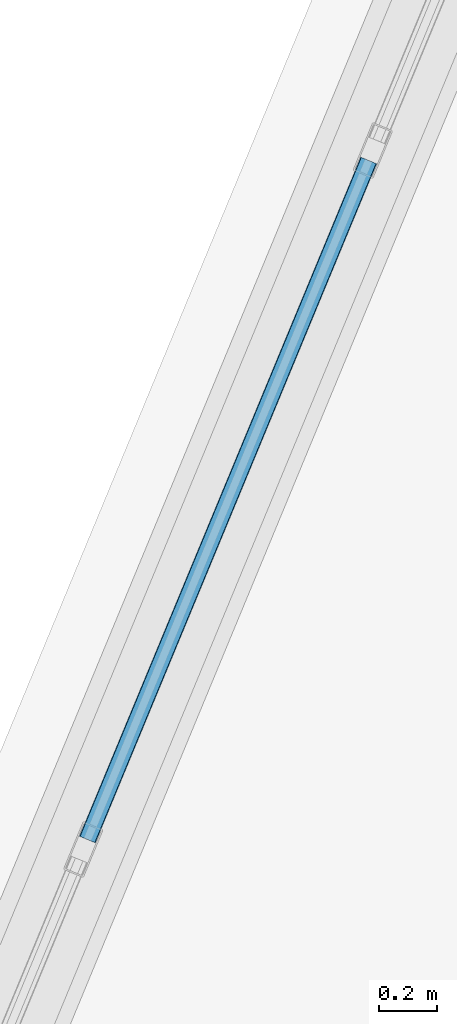
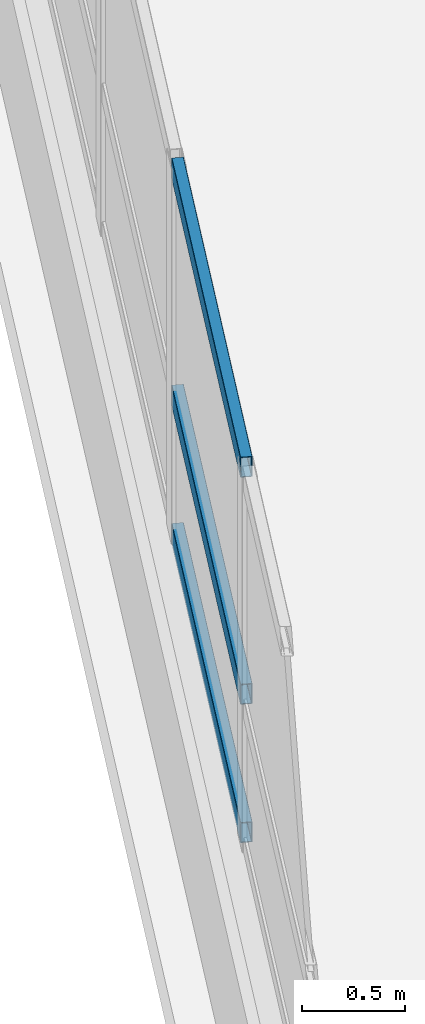
# One storey, part 46 of 128: 3 members, 1 element without a shape of its own.
"""IFC4 building model written with IfcOpenShell, lengths in metres."""

from ifc_helpers import new_model, si_unit, direction, frame, origin, origin_2d, place, context, subcontext, project, spatial, hollow_rectangle, extrude, material, layer, layer_set, material_profile, profile_set, type_object, element, aggregate, save


model = new_model("IFC4")

# Units and contexts
model_context = context("Model", 3, precision=1e-05, world=origin(), true_north=direction((0.0, 1.0)))
body_context = subcontext(model_context, "Body", "Model", "MODEL_VIEW")
ifc_project = project(units=[si_unit("LENGTHUNIT", "METRE"), si_unit("AREAUNIT", "SQUARE_METRE"), si_unit("VOLUMEUNIT", "CUBIC_METRE"), si_unit("PLANEANGLEUNIT", "RADIAN"), si_unit("MASSUNIT", "GRAM", prefix="KILO")], contexts=[model_context])

# Site, building, storey
site_placement = place(None, origin())
site = spatial("IfcSite", under=ifc_project, at=site_placement, CompositionType="ELEMENT")
building_placement = place(site_placement, origin())
building = spatial("IfcBuilding", under=site, at=building_placement, Name="Vespera Passage Community Centre", CompositionType="ELEMENT")
storey_placement = place(building_placement, frame((0.0, 0.0, 4.5)))
storey = spatial("IfcBuildingStorey", under=building, at=storey_placement, Name="L01", CompositionType="ELEMENT", Elevation=4.5)

# Curtain wall, members
ifc_material_1 = material(Name="Anodized aluminium 6063-T6", Category="aluminium")
ifc_layer = layer(ifc_material_1, 0.159912109375)
ifc_layer_set = layer_set([ifc_layer], Name="Anodized aluminium 6063-T6")
curtain_wall_type = type_object("IfcCurtainWallType", Name="CW-20E", PredefinedType="NOTDEFINED", material=ifc_layer_set)
curtain_wall_placement = place(storey_placement, origin())
curtain_wall = element("IfcCurtainWall", 1, at=curtain_wall_placement, inside=storey, type_object=curtain_wall_type, Name="V4 L01 Outer Ribbon Curtain Wall 10", PredefinedType="NOTDEFINED")
ifc_material_2 = material(Name="Anodized aluminium 6063-T6", Category="aluminium")
ifc_material_profile = material_profile(ifc_material_2, hollow_rectangle(XDim=0.06005859375, YDim=0.1201171875, WallThickness=0.00390625, InnerFilletRadius=0.001953125, OuterFilletRadius=0.00390625, at=origin_2d()), Name="ALU120X60X4")
ifc_profile_set = profile_set([ifc_material_profile], Name="Anodized aluminium 6063-T6")
member_type = type_object("IfcMemberType", Name="MB-CWT-120E", PredefinedType="USERDEFINED", material=ifc_profile_set)
member_1_placement = place(storey_placement, frame((34.78125, 80.59521484375, 0.85009765625), z_axis=(0.382647130015, 0.923894568601, 0.0), x_axis=(-0.923894568601, 0.382647130015, 0.0)))
member_1 = element("IfcMember", 2, at=member_1_placement, type_object=member_type, Name="CW-20E transom 2.1", ObjectType="TRANSOM", PredefinedType="USERDEFINED", context=body_context, shape_type="SweptSolid", body=[
    extrude(hollow_rectangle(XDim=0.06005859375, YDim=0.1201171875, WallThickness=0.00390625, InnerFilletRadius=0.001953125, OuterFilletRadius=0.00390625, at=origin_2d()), origin(), (0.0, 0.0, 1.0), 2.555419921875),
])
member_2_placement = place(storey_placement, frame((34.78125, 80.59521484375, 1.669921875), z_axis=(0.382647130015, 0.923894568601, 0.0), x_axis=(-0.923894568601, 0.382647130015, 0.0)))
member_2 = element("IfcMember", 3, at=member_2_placement, type_object=member_type, Name="CW-20E transom 2.2", ObjectType="TRANSOM", PredefinedType="USERDEFINED", context=body_context, shape_type="SweptSolid", body=[
    extrude(hollow_rectangle(XDim=0.06005859375, YDim=0.1201171875, WallThickness=0.00390625, InnerFilletRadius=0.001953125, OuterFilletRadius=0.00390625, at=origin_2d()), origin(), (0.0, 0.0, 1.0), 2.555419921875),
])
member_3_placement = place(storey_placement, frame((34.78125, 80.59521484375, 3.015625), z_axis=(0.382647130015, 0.923894568601, 0.0), x_axis=(-0.923894568601, 0.382647130015, 0.0)))
member_3 = element("IfcMember", 4, at=member_3_placement, type_object=member_type, Name="CW-20E transom 2.3", ObjectType="TRANSOM", PredefinedType="USERDEFINED", context=body_context, shape_type="SweptSolid", body=[
    extrude(hollow_rectangle(XDim=0.06005859375, YDim=0.1201171875, WallThickness=0.00390625, InnerFilletRadius=0.001953125, OuterFilletRadius=0.00390625, at=origin_2d()), origin(), (0.0, 0.0, 1.0), 2.555419921875),
])
aggregate(curtain_wall, [member_1, member_2, member_3])

save(model, "model.ifc")
